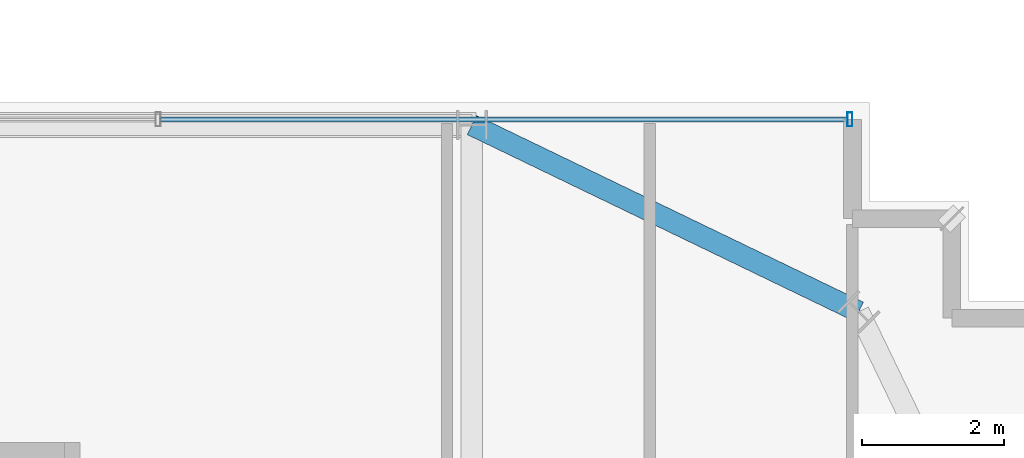
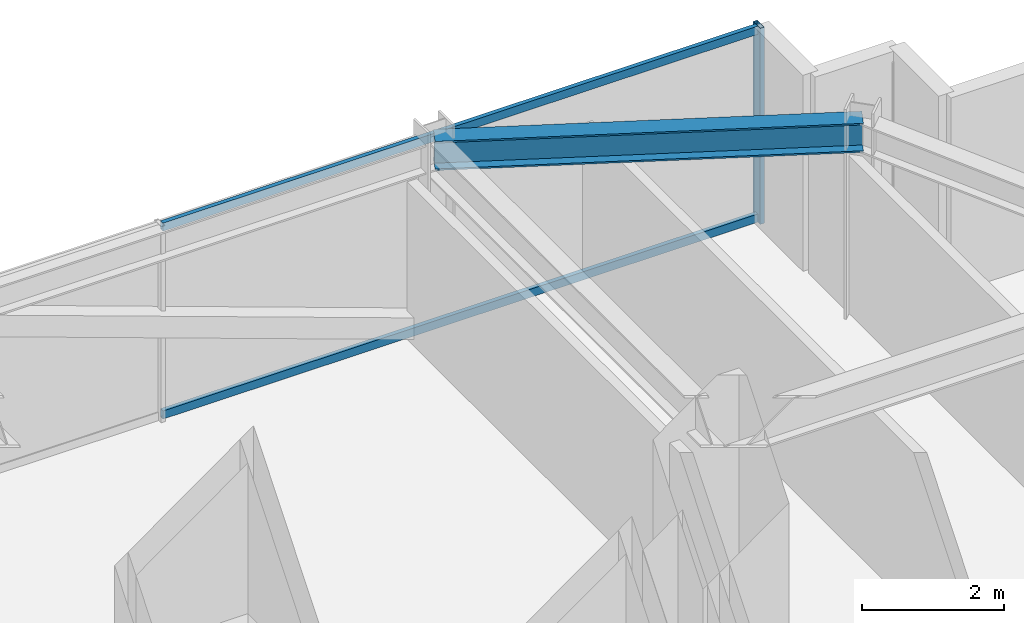
# One storey, part 33 of 47: 3 members, 1 beam, 1 element without a shape of its own.
"""IFC4 building model written with IfcOpenShell, lengths in metres."""

from ifc_helpers import new_model, si_unit, direction, frame, origin, origin_2d, place, context, subcontext, project, spatial, hollow_rectangle, i_section, extrude, source, transform, mapped, material, material_profile, profile_set, type_object, element, aggregate, save


model = new_model("IFC4")

# Units and contexts
model_context = context("Model", 3, precision=1e-05, world=origin(), true_north=direction((0.0, 1.0)))
body_context = subcontext(model_context, "Body", "Model", "MODEL_VIEW")
ifc_project = project(units=[si_unit("LENGTHUNIT", "METRE"), si_unit("AREAUNIT", "SQUARE_METRE"), si_unit("VOLUMEUNIT", "CUBIC_METRE"), si_unit("PLANEANGLEUNIT", "RADIAN"), si_unit("MASSUNIT", "GRAM", prefix="KILO")], contexts=[model_context])

# Site, building, storey
site_placement = place(None, origin())
site = spatial("IfcSite", under=ifc_project, at=site_placement, CompositionType="ELEMENT")
building_placement = place(site_placement, origin())
building = spatial("IfcBuilding", under=site, at=building_placement, Name="Nahalor Promenade Grand Hotel", CompositionType="ELEMENT")
storey_placement = place(building_placement, frame((0.0, 0.0, 68.89990234375)))
storey = spatial("IfcBuildingStorey", under=building, at=storey_placement, Name="L16", CompositionType="ELEMENT", Elevation=68.89990234375)

# Beam
ifc_material_1 = material(Name="Steel S355JR", Category="steel")
ifc_material_profile_1 = material_profile(ifc_material_1, i_section(OverallWidth=0.3, OverallDepth=0.5, WebThickness=0.0145, FlangeThickness=0.028, at=origin_2d()), Name="HEB 500")
ifc_profile_set_1 = profile_set([ifc_material_profile_1], Name="Steel S355JR")
beam_type = type_object("IfcBeamType", Name="Beam-Spandrel-HEB500", PredefinedType="SPANDREL", material=ifc_profile_set_1)
shared_shape_1 = source(origin(), body_context, "Body", "SweptSolid", [
    extrude(i_section(OverallWidth=0.3, OverallDepth=0.5, WebThickness=0.0145, FlangeThickness=0.028, at=origin_2d()), origin(), (0.0, 0.0, 1.0), 6.051513671875),
])
beam_placement = place(storey_placement, frame((17.0, 25.080078125, 3.1201171875), z_axis=(0.900608818852, -0.434630596492, 0.0), x_axis=(0.434630596492, 0.900608818852, 0.0)))
element("IfcBeam", 1, at=beam_placement, inside=storey, type_object=beam_type, Name="BM-L16-SPC-NE-1", PredefinedType="SPANDREL", context=body_context, shape_type="MappedRepresentation", body=[
    mapped(shared_shape_1, transform((0.0, 0.0, 0.0), scale=1.0)),
])

# Curtain wall, members
ifc_material_2 = material(Name="Anodised Bronze Aluminium EN AW-6063 T6", Category="aluminium")
curtain_wall_type = type_object("IfcCurtainWallType", Name="CW3 Elliptical-Void Collar Unitised Curtain Wall", PredefinedType="USERDEFINED", material=ifc_material_2)
curtain_wall_placement = place(storey_placement, origin())
curtain_wall = element("IfcCurtainWall", 2, at=curtain_wall_placement, inside=storey, type_object=curtain_wall_type, Name="L16 Curtain Wall CW-L16-N-3", ObjectType="UNITISED_CURTAIN_WALL", PredefinedType="USERDEFINED")
ifc_material_profile_2 = material_profile(ifc_material_2, hollow_rectangle(XDim=0.07, YDim=0.2, WallThickness=0.005, at=origin_2d()), Name="CWM 70x200x5")
ifc_profile_set_2 = profile_set([ifc_material_profile_2], Name="Anodised Bronze Aluminium EN AW-6063 T6")
member_type_1 = type_object("IfcMemberType", Name="CWM3 Void Collar Mullion 70x200", PredefinedType="MULLION", material=ifc_profile_set_2)
shared_shape_2 = source(origin(), body_context, "Body", "SweptSolid", [
    extrude(hollow_rectangle(XDim=0.07, YDim=0.2, WallThickness=0.005, at=origin_2d()), origin(), (0.0, 0.0, 1.0), 3.3701171875),
])
member_1_placement = place(storey_placement, frame((22.324951171875, 25.159912109375, 0.0), z_axis=(0.0, 0.0, 1.0), x_axis=(1.0, 0.0, 0.0)))
member_1 = element("IfcMember", 3, at=member_1_placement, type_object=member_type_1, Name="CW-L16-N-3 Mullion 2", PredefinedType="MULLION", context=body_context, shape_type="MappedRepresentation", body=[
    mapped(shared_shape_2, transform((0.0, 0.0, 0.0), scale=1.0)),
])
ifc_material_profile_3 = material_profile(ifc_material_2, hollow_rectangle(XDim=0.07, YDim=0.14, WallThickness=0.004, at=origin_2d()), Name="CWT 70x140x4")
ifc_profile_set_3 = profile_set([ifc_material_profile_3], Name="Anodised Bronze Aluminium EN AW-6063 T6")
member_type_2 = type_object("IfcMemberType", Name="CWT3 Void Collar Transom 70x140", PredefinedType="USERDEFINED", material=ifc_profile_set_3)
shared_shape_3 = source(origin(), body_context, "Body", "SweptSolid", [
    extrude(hollow_rectangle(XDim=0.07, YDim=0.14, WallThickness=0.004, at=origin_2d()), origin(), (0.0, 0.0, 1.0), 9.675048828125),
])
member_2_placement = place(storey_placement, frame((12.614990234375, 25.159912109375, 0.070068359375), z_axis=(1.0, 0.0, 0.0), x_axis=(0.0, 1.0, 0.0)))
member_2 = element("IfcMember", 4, at=member_2_placement, type_object=member_type_2, Name="CW-L16-N-3 Transom 1-0", ObjectType="TRANSOM", PredefinedType="USERDEFINED", context=body_context, shape_type="MappedRepresentation", body=[
    mapped(shared_shape_3, transform((0.0, 0.0, 0.0), scale=1.0)),
])
member_3_placement = place(storey_placement, frame((12.614990234375, 25.159912109375, 3.300048828125), z_axis=(1.0, 0.0, 0.0), x_axis=(0.0, 1.0, 0.0)))
member_3 = element("IfcMember", 5, at=member_3_placement, type_object=member_type_2, Name="CW-L16-N-3 Transom 1-1", ObjectType="TRANSOM", PredefinedType="USERDEFINED", context=body_context, shape_type="MappedRepresentation", body=[
    mapped(shared_shape_3, transform((0.0, 0.0, 0.0), scale=1.0)),
])
aggregate(curtain_wall, [member_1, member_2, member_3])

save(model, "model.ifc")
